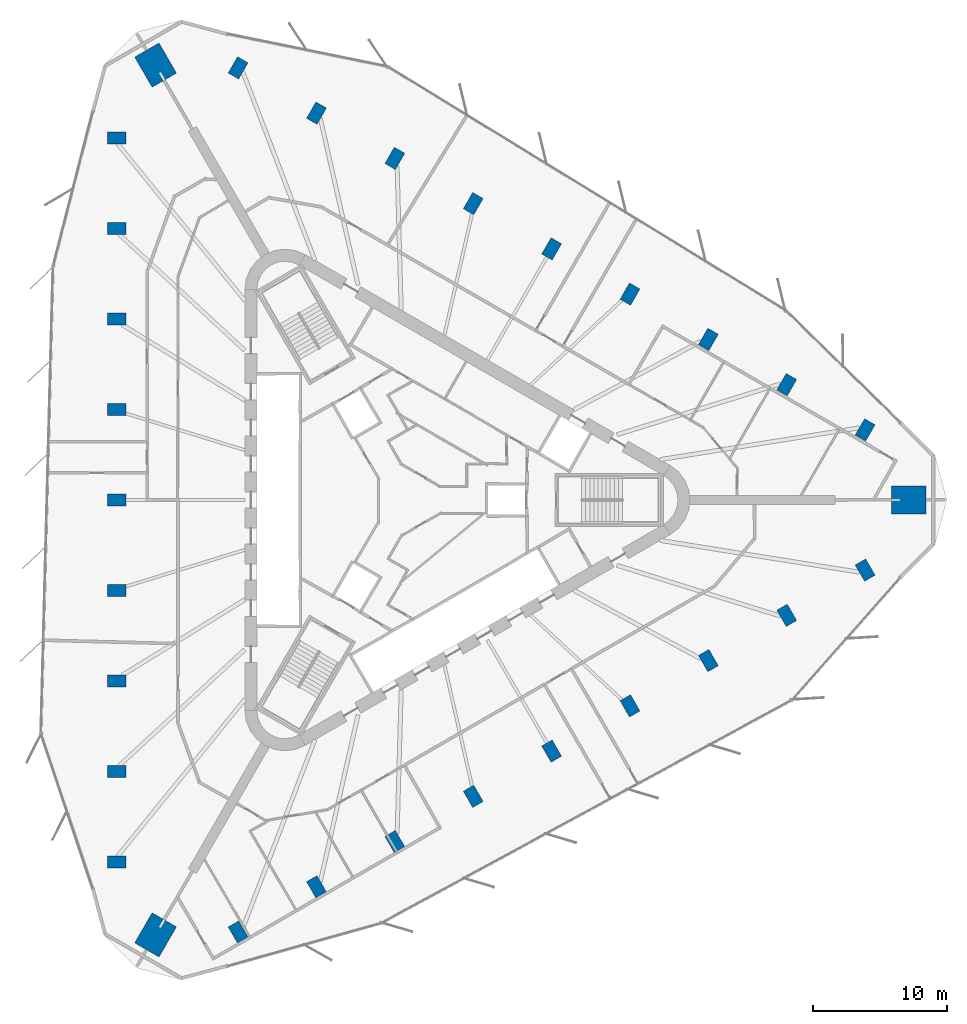
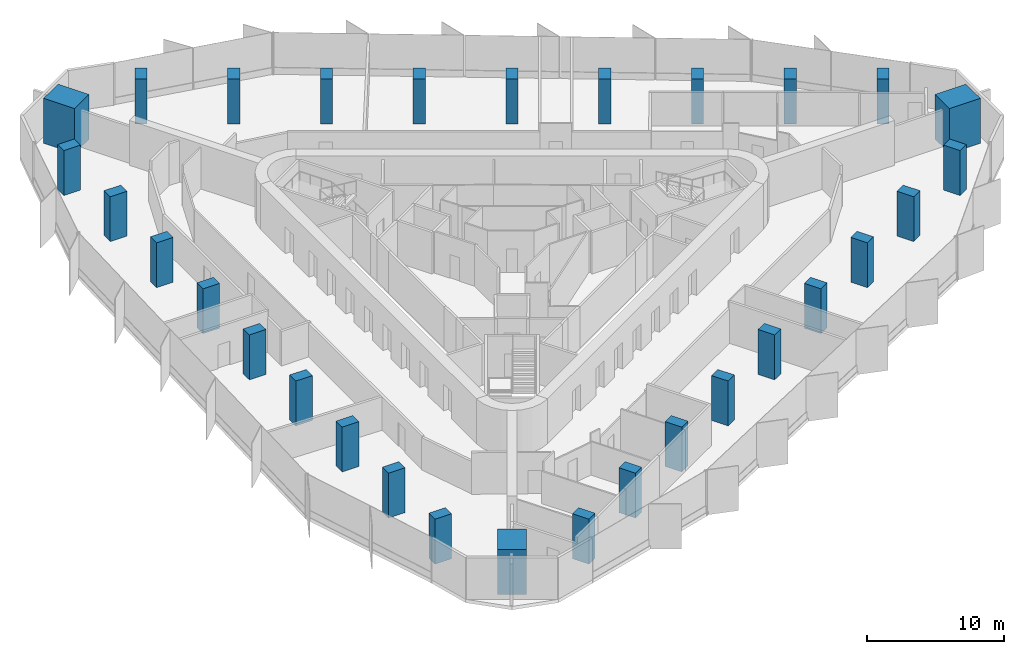
# One storey, part 1 of 14: 30 columns.
"""IFC4 building model written with IfcOpenShell, lengths in metres."""

from ifc_helpers import new_model, si_unit, direction, frame, origin, origin_2d, place, context, subcontext, project, spatial, rectangle, extrude, material, material_profile, profile_set, type_object, element, save


model = new_model("IFC4")

# Units and contexts
model_context = context("Model", 3, precision=1e-05, world=origin(), true_north=direction((0.0, 1.0)))
body_context = subcontext(model_context, "Body", "Model", "MODEL_VIEW")
ifc_project = project(units=[si_unit("LENGTHUNIT", "METRE"), si_unit("AREAUNIT", "SQUARE_METRE"), si_unit("VOLUMEUNIT", "CUBIC_METRE"), si_unit("PLANEANGLEUNIT", "RADIAN"), si_unit("MASSUNIT", "GRAM", prefix="KILO")], contexts=[model_context])

# Site, building, storey
site_placement = place(None, origin())
site = spatial("IfcSite", under=ifc_project, at=site_placement, CompositionType="ELEMENT")
building_placement = place(site_placement, origin())
building = spatial("IfcBuilding", under=site, at=building_placement, Name="Tanit Gate Tower", CompositionType="ELEMENT")
storey_placement = place(building_placement, frame((0.0, 0.0, 241.199951171875)))
storey = spatial("IfcBuildingStorey", under=building, at=storey_placement, Name="L54", CompositionType="ELEMENT", Elevation=241.199951171875)

# Columns
ifc_material_1 = material(Name="Concrete C60/75", Category="concrete")
ifc_material_profile_1 = material_profile(ifc_material_1, rectangle(XDim=2.60009765625, YDim=2.10009765625, at=origin_2d()), Name="RC 2600x2100")
ifc_profile_set_1 = profile_set([ifc_material_profile_1], Name="Concrete C60/75")
column_type_1 = type_object("IfcColumnType", Name="MEGA COLUMN 2600x2100 C60/75", PredefinedType="COLUMN", material=ifc_profile_set_1)
for number, where, z_axis, x_axis, name in (
    (1, (37.56982421875, 0.0, 0.0), (0.0, 0.0, 1.0), (1.0, 0.0, 0.0), "MEGA COLUMN"),
    (2, (-18.784912109375, 32.536376953125, 0.0), (0.0, 0.0, 1.0), (-0.5, 0.866025403784, 0.0), "MEGA COLUMN"),
    (3, (-18.784912109375, -32.536376953125, 0.0), (0.0, 0.0, 1.0), (-0.5, -0.866025403784, 0.0), "MEGA COLUMN"),
):
    element("IfcColumn", number, at=place(storey_placement, frame(where, z_axis=z_axis, x_axis=x_axis)), inside=storey, type_object=column_type_1, Name=name, PredefinedType="COLUMN", context=body_context, shape_type="SweptSolid", body=[
        extrude(rectangle(XDim=2.60009765625, YDim=2.10009765625, at=origin_2d()), origin(), (0.0, 0.0, 1.0), 4.0),
    ])
ifc_material_2 = material(Name="Concrete C50/60", Category="concrete")
ifc_material_profile_2 = material_profile(ifc_material_2, rectangle(XDim=1.39990234375, YDim=0.89990234375, at=origin_2d()), Name="RC 1400x900")
ifc_profile_set_2 = profile_set([ifc_material_profile_2], Name="Concrete C50/60")
column_type_2 = type_object("IfcColumnType", Name="PERIMETER COLUMN 1400x900 C50/60", PredefinedType="COLUMN", material=ifc_profile_set_2)
for number, where, z_axis, x_axis, name in (
    (4, (-21.693359375, 27.083984375, 0.0), (0.0, 0.0, 1.0), (-1.0, 0.0, 0.0), "PERIMETER COLUMN"),
    (5, (-21.693359375, 20.31298828125, 0.0), (0.0, 0.0, 1.0), (-1.0, 0.0, 0.0), "PERIMETER COLUMN"),
    (6, (-21.693359375, 13.5419921875, 0.0), (0.0, 0.0, 1.0), (-1.0, 0.0, 0.0), "PERIMETER COLUMN"),
    (7, (-21.693359375, 6.77099609375, 0.0), (0.0, 0.0, 1.0), (-1.0, 0.0, 0.0), "PERIMETER COLUMN"),
    (8, (-21.693359375, 0.0, 0.0), (0.0, 0.0, 1.0), (-1.0, 0.0, 0.0), "PERIMETER COLUMN"),
    (9, (-21.693359375, -6.77099609375, 0.0), (0.0, 0.0, 1.0), (-1.0, 0.0, 0.0), "PERIMETER COLUMN"),
    (10, (-21.693359375, -13.5419921875, 0.0), (0.0, 0.0, 1.0), (-1.0, 0.0, 0.0), "PERIMETER COLUMN"),
    (11, (-21.693359375, -20.31298828125, 0.0), (0.0, 0.0, 1.0), (-1.0, 0.0, 0.0), "PERIMETER COLUMN"),
    (12, (-21.693359375, -27.083984375, 0.0), (0.0, 0.0, 1.0), (-1.0, 0.0, 0.0), "PERIMETER COLUMN"),
    (13, (34.302001953125, 5.2451171875, 0.0), (0.0, 0.0, 1.0), (0.5, 0.866025403784, 0.0), "PERIMETER COLUMN"),
    (14, (28.438232421875, 8.630615234375, 0.0), (0.0, 0.0, 1.0), (0.5, 0.866025403784, 0.0), "PERIMETER COLUMN"),
    (15, (22.57421875, 12.015869140625, 0.0), (0.0, 0.0, 1.0), (0.5, 0.866025403784, 0.0), "PERIMETER COLUMN"),
    (16, (16.71044921875, 15.4013671875, 0.0), (0.0, 0.0, 1.0), (0.5, 0.866025403784, 0.0), "PERIMETER COLUMN"),
    (17, (10.8466796875, 18.786865234375, 0.0), (0.0, 0.0, 1.0), (0.5, 0.866025403784, 0.0), "PERIMETER COLUMN"),
    (18, (4.98291015625, 22.17236328125, 0.0), (0.0, 0.0, 1.0), (0.5, 0.866025403784, 0.0), "PERIMETER COLUMN"),
    (19, (-0.881103515625, 25.557861328125, 0.0), (0.0, 0.0, 1.0), (0.5, 0.866025403784, 0.0), "PERIMETER COLUMN"),
    (20, (-6.744873046875, 28.943359375, 0.0), (0.0, 0.0, 1.0), (0.5, 0.866025403784, 0.0), "PERIMETER COLUMN"),
    (21, (-12.608642578125, 32.328857421875, 0.0), (0.0, 0.0, 1.0), (0.5, 0.866025403784, 0.0), "PERIMETER COLUMN"),
    (22, (-12.608642578125, -32.328857421875, 0.0), (0.0, 0.0, 1.0), (0.5, -0.866025403784, 0.0), "PERIMETER COLUMN"),
    (23, (-6.744873046875, -28.943359375, 0.0), (0.0, 0.0, 1.0), (0.5, -0.866025403784, 0.0), "PERIMETER COLUMN"),
    (24, (-0.881103515625, -25.557861328125, 0.0), (0.0, 0.0, 1.0), (0.5, -0.866025403784, 0.0), "PERIMETER COLUMN"),
    (25, (4.98291015625, -22.17236328125, 0.0), (0.0, 0.0, 1.0), (0.5, -0.866025403784, 0.0), "PERIMETER COLUMN"),
    (26, (10.8466796875, -18.786865234375, 0.0), (0.0, 0.0, 1.0), (0.5, -0.866025403784, 0.0), "PERIMETER COLUMN"),
    (27, (16.71044921875, -15.4013671875, 0.0), (0.0, 0.0, 1.0), (0.5, -0.866025403784, 0.0), "PERIMETER COLUMN"),
    (28, (22.57421875, -12.015869140625, 0.0), (0.0, 0.0, 1.0), (0.5, -0.866025403784, 0.0), "PERIMETER COLUMN"),
    (29, (28.438232421875, -8.630615234375, 0.0), (0.0, 0.0, 1.0), (0.5, -0.866025403784, 0.0), "PERIMETER COLUMN"),
    (30, (34.302001953125, -5.2451171875, 0.0), (0.0, 0.0, 1.0), (0.5, -0.866025403784, 0.0), "PERIMETER COLUMN"),
):
    element("IfcColumn", number, at=place(storey_placement, frame(where, z_axis=z_axis, x_axis=x_axis)), inside=storey, type_object=column_type_2, Name=name, PredefinedType="COLUMN", context=body_context, shape_type="SweptSolid", body=[
        extrude(rectangle(XDim=1.39990234375, YDim=0.89990234375, at=origin_2d()), origin(), (0.0, 0.0, 1.0), 4.0),
    ])

save(model, "model.ifc")
